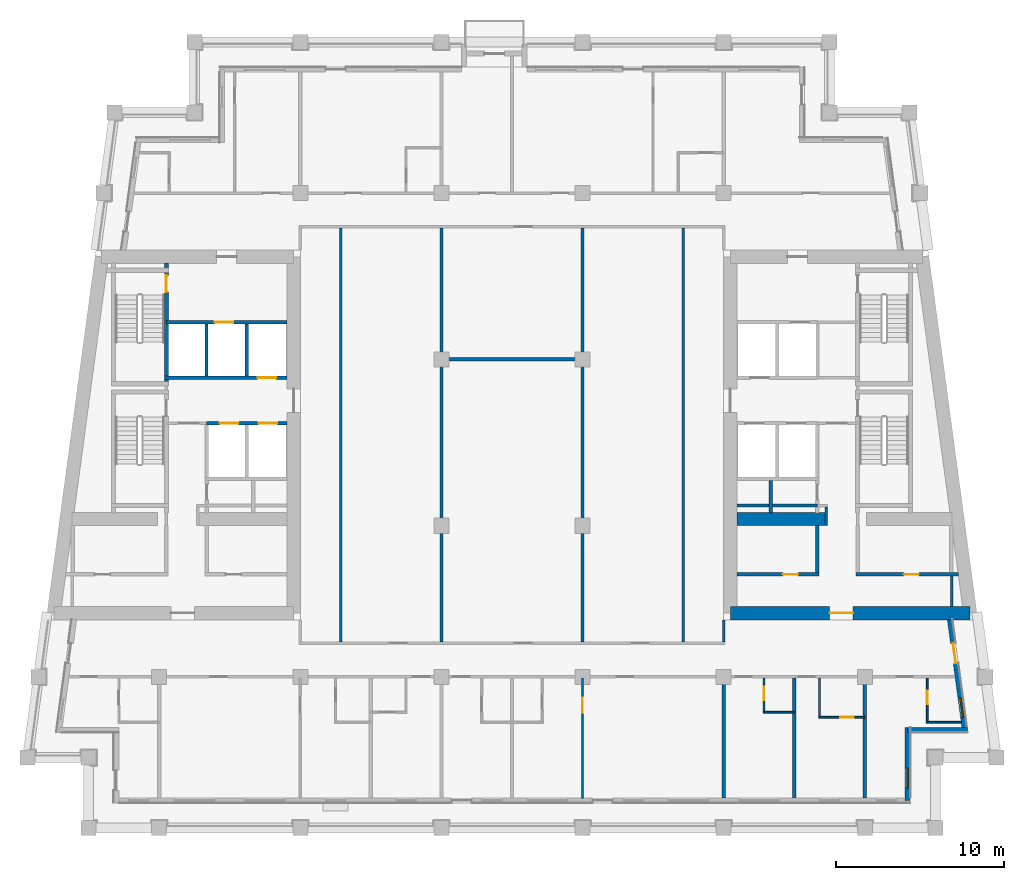
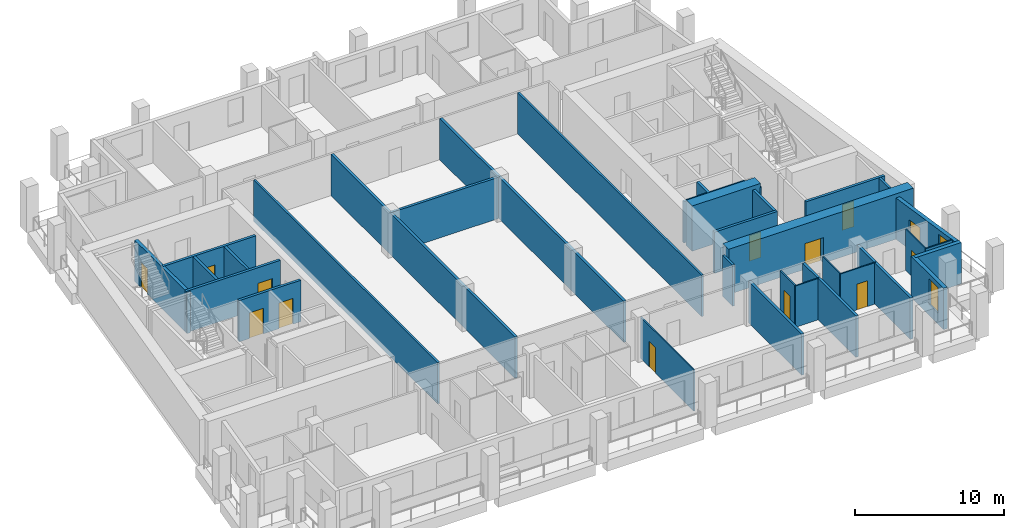
# One storey, part 4 of 12: 34 walls, 13 doors, 2 windows, 15 openings.
"""IFC4 building model written with IfcOpenShell, lengths in metres."""

from ifc_helpers import new_model, si_unit, direction, frame, frame_2d, origin, place, context, subcontext, project, spatial, rectangle, extrude, material, layer, layer_set, type_object, element, fill, save


model = new_model("IFC4")

# Units and contexts
model_context = context("Model", 3, precision=1e-05, world=origin(), true_north=direction((0.0, 1.0)))
body_context = subcontext(model_context, "Body", "Model", "MODEL_VIEW")
ifc_project = project(units=[si_unit("LENGTHUNIT", "METRE"), si_unit("AREAUNIT", "SQUARE_METRE"), si_unit("VOLUMEUNIT", "CUBIC_METRE"), si_unit("PLANEANGLEUNIT", "RADIAN"), si_unit("MASSUNIT", "GRAM", prefix="KILO")], contexts=[model_context])

# Site, building, storey
site_placement = place(None, origin())
site = spatial("IfcSite", under=ifc_project, at=site_placement, CompositionType="ELEMENT")
building_placement = place(site_placement, origin())
building = spatial("IfcBuilding", under=site, at=building_placement, Name="Candeia Pilgrim Tower and Theatre", CompositionType="ELEMENT")
storey_placement = place(building_placement, frame((0.0, 0.0, 231.800048828125)))
storey = spatial("IfcBuildingStorey", under=building, at=storey_placement, Name="L56", CompositionType="ELEMENT", Elevation=231.800048828125)

# Wall, opening, door
ifc_material_1 = material(Name="Concrete C50/60", Category="concrete")
ifc_layer_1 = layer(ifc_material_1, 0.800048828125)
ifc_layer_set_1 = layer_set([ifc_layer_1], Name="Core wall 800 C50/60")
wall_type_1 = type_object("IfcWallType", Name="Core wall 800 C50/60", PredefinedType="SHEAR", material=ifc_layer_set_1)
wall_1_placement = place(storey_placement, frame((140.67333984375, 110.800048828125, 0.0), z_axis=(0.0, 0.0, 1.0), x_axis=(-1.0, 0.0, 0.0)))
wall_1 = element("IfcWall", 1, at=wall_1_placement, inside=storey, type_object=wall_type_1, Name="Core wall E3", PredefinedType="SHEAR", context=body_context, shape_type="SweptSolid", body=[
    extrude(rectangle(XDim=14.2734375, YDim=0.800048828125, at=frame_2d((7.13671875, 0.0))), origin(), (0.0, 0.0, 1.0), 3.699951171875),
])
opening_1_placement = place(wall_1_placement, frame((6.96533203125, 0.0, 0.0)))
opening_1 = element("IfcOpeningElement", 2, at=opening_1_placement, cuts=wall_1, Name="Opening L56-D048", PredefinedType="OPENING", context=body_context, shape_type="SweptSolid", body=[
    extrude(rectangle(XDim=1.39990234375, YDim=2.10009765625, at=frame_2d((0.699951171875, 1.050048828125))), frame((0.0, 0.41015625, 0.0), z_axis=(0.0, -1.0, 0.0), x_axis=(1.0, 0.0, 0.0)), (0.0, 0.0, 1.0), 0.820068359375),
])
ifc_material_2 = material(Name="Steel fire door set", Category="steel")
door_type_1 = type_object("IfcDoorType", Name="D-1400-FD60", OperationType="NOTDEFINED", PredefinedType="DOOR", material=ifc_material_2)
door_1_placement = place(opening_1_placement, origin())
door_1 = element("IfcDoor", 3, at=door_1_placement, inside=storey, type_object=door_type_1, Name="Door L56-D048", OperationType="SINGLE_SWING_RIGHT", OverallHeight=2.10009765625, OverallWidth=1.39990234375, PredefinedType="DOOR", context=body_context, shape_type="SweptSolid", body=[
    extrude(rectangle(XDim=1.39990234375, YDim=2.10009765625, at=frame_2d((0.699951171875, 1.050048828125))), frame((0.0, 0.02490234375, 0.0), z_axis=(0.0, -1.0, 0.0), x_axis=(1.0, 0.0, 0.0)), (0.0, 0.0, 1.0), 0.050048828125),
])
fill(opening_1, door_1)

# Wall
wall_2_placement = place(storey_placement, frame((126.800048828125, 116.39990234375, 0.0), z_axis=(0.0, 0.0, 1.0), x_axis=(1.0, 0.0, 0.0)))
element("IfcWall", 4, at=wall_2_placement, inside=storey, type_object=wall_type_1, Name="Core wall E5", PredefinedType="SHEAR", context=body_context, shape_type="SweptSolid", body=[
    extrude(rectangle(XDim=5.300048828125, YDim=0.800048828125, at=frame_2d((2.64990234375, 0.0))), origin(), (0.0, 0.0, 1.0), 3.699951171875),
])

# Wall, opening, window
ifc_material_3 = material(Name="Ceramic block masonry", Category="masonry")
ifc_layer_2 = layer(ifc_material_3, 0.300048828125)
ifc_layer_set_2 = layer_set([ifc_layer_2], Name="EW1 glazing-line wall 300")
wall_type_2 = type_object("IfcWallType", Name="EW1 glazing-line wall 300", PredefinedType="SOLIDWALL", material=ifc_layer_set_2)
wall_3_placement = place(storey_placement, frame((136.949951171875, 99.64990234375, 0.0), z_axis=(0.0, 0.0, 1.0), x_axis=(0.0, 1.0, 0.0)))
wall_3 = element("IfcWall", 5, at=wall_3_placement, inside=storey, type_object=wall_type_2, Name="External wall L56-1.0", PredefinedType="SOLIDWALL", context=body_context, shape_type="SweptSolid", body=[
    extrude(rectangle(XDim=4.35009765625, YDim=0.300048828125, at=frame_2d((2.175048828125, 0.0))), origin(), (0.0, 0.0, 1.0), 3.3798828125),
])
opening_2_placement = place(wall_3_placement, frame((0.72509765625, 0.0, 0.89990234375)))
opening_2 = element("IfcOpeningElement", 6, at=opening_2_placement, cuts=wall_3, Name="Opening W-B", PredefinedType="OPENING", context=body_context, shape_type="SweptSolid", body=[
    extrude(rectangle(XDim=1.199951171875, YDim=2.10009765625, at=frame_2d((0.60009765625, 1.050048828125))), frame((0.0, 0.16015625, 0.0), z_axis=(0.0, -1.0, 0.0), x_axis=(1.0, 0.0, 0.0)), (0.0, 0.0, 1.0), 0.320068359375),
])
ifc_material_4 = material(Name="Aluminium framed double glazing", Category="aluminium")
window_type = type_object("IfcWindowType", Name="W-B window 1200x2100", PartitioningType="SINGLE_PANEL", PredefinedType="WINDOW", material=ifc_material_4)
window_1_placement = place(opening_2_placement, origin())
window_1 = element("IfcWindow", 7, at=window_1_placement, inside=storey, type_object=window_type, Name="Window W-B L56", OverallHeight=2.10009765625, OverallWidth=1.199951171875, PartitioningType="SINGLE_PANEL", PredefinedType="WINDOW", context=body_context, shape_type="SweptSolid", body=[
    extrude(rectangle(XDim=1.199951171875, YDim=2.10009765625, at=frame_2d((0.60009765625, 1.050048828125))), frame((0.0, 0.030029296875, 0.0), z_axis=(0.0, -1.0, 0.0), x_axis=(1.0, 0.0, 0.0)), (0.0, 0.0, 1.0), 0.06005859375),
])
fill(opening_2, window_1)

# Wall
wall_4_placement = place(storey_placement, frame((136.949951171875, 103.85009765625, 0.0), z_axis=(0.0, 0.0, 1.0), x_axis=(1.0, 0.0, 0.0)))
element("IfcWall", 8, at=wall_4_placement, inside=storey, type_object=wall_type_2, Name="External wall L56-2.0", PredefinedType="SOLIDWALL", context=body_context, shape_type="SweptSolid", body=[
    extrude(rectangle(XDim=3.569091796875, YDim=0.300048828125, at=frame_2d((1.78466796875, 0.0))), origin(), (0.0, 0.0, 1.0), 3.3798828125),
])

# Wall, openings, door, window
wall_5_placement = place(storey_placement, frame((140.34765625, 103.85009765625, 0.0), z_axis=(0.0, 0.0, 1.0), x_axis=(-0.133431549479, 0.991058031401, 0.0)))
wall_5 = element("IfcWall", 9, at=wall_5_placement, inside=storey, type_object=wall_type_2, Name="External wall L56-3.0", PredefinedType="SOLIDWALL", context=body_context, shape_type="SweptSolid", body=[
    extrude(rectangle(XDim=6.60888671875, YDim=0.300048828125, at=frame_2d((3.304443359375, 0.0))), origin(), (0.0, 0.0, 1.0), 3.3798828125),
])
opening_3_placement = place(wall_5_placement, frame((0.736572265625, 0.0, 0.89990234375)))
opening_3 = element("IfcOpeningElement", 10, at=opening_3_placement, cuts=wall_5, Name="Opening W-B", PredefinedType="OPENING", context=body_context, shape_type="SweptSolid", body=[
    extrude(rectangle(XDim=1.199951171875, YDim=2.10009765625, at=frame_2d((0.60009765625, 1.050048828125))), frame((0.0, 0.16015625, 0.0), z_axis=(0.0, -1.0, 0.0), x_axis=(1.0, 0.0, 0.0)), (0.0, 0.0, 1.0), 0.320068359375),
])
opening_4_placement = place(wall_5_placement, frame((3.990966796875, 0.0, 0.0)))
opening_4 = element("IfcOpeningElement", 11, at=opening_4_placement, cuts=wall_5, Name="Opening L56-ED537", PredefinedType="OPENING", context=body_context, shape_type="SweptSolid", body=[
    extrude(rectangle(XDim=1.199951171875, YDim=2.39990234375, at=frame_2d((0.60009765625, 1.199951171875))), frame((0.0, 0.16015625, 0.0), z_axis=(0.0, -1.0, 0.0), x_axis=(1.0, 0.0, 0.0)), (0.0, 0.0, 1.0), 0.320068359375),
])
ifc_material_5 = material(Name="Aluminium framed glazed door", Category="aluminium")
door_type_2 = type_object("IfcDoorType", Name="Loggia door 1200x2400", OperationType="DOUBLE_DOOR_SINGLE_SWING", PredefinedType="DOOR", material=ifc_material_5)
door_2_placement = place(opening_4_placement, origin())
door_2 = element("IfcDoor", 12, at=door_2_placement, inside=storey, type_object=door_type_2, Name="Loggia door L56-ED537", OperationType="DOUBLE_DOOR_SINGLE_SWING", OverallHeight=2.39990234375, OverallWidth=1.199951171875, PredefinedType="DOOR", context=body_context, shape_type="SweptSolid", body=[
    extrude(rectangle(XDim=1.199951171875, YDim=2.39990234375, at=frame_2d((0.60009765625, 1.199951171875))), frame((0.0, 0.02490234375, 0.0), z_axis=(0.0, -1.0, 0.0), x_axis=(1.0, 0.0, 0.0)), (0.0, 0.0, 1.0), 0.050048828125),
])
fill(opening_4, door_2)
window_2_placement = place(opening_3_placement, origin())
window_2 = element("IfcWindow", 13, at=window_2_placement, inside=storey, type_object=window_type, Name="Window W-B L56", OverallHeight=2.10009765625, OverallWidth=1.199951171875, PartitioningType="SINGLE_PANEL", PredefinedType="WINDOW", context=body_context, shape_type="SweptSolid", body=[
    extrude(rectangle(XDim=1.199951171875, YDim=2.10009765625, at=frame_2d((0.60009765625, 1.050048828125))), frame((0.0, 0.030029296875, 0.0), z_axis=(0.0, -1.0, 0.0), x_axis=(1.0, 0.0, 0.0)), (0.0, 0.0, 1.0), 0.06005859375),
])
fill(opening_3, window_2)

# Wall
ifc_material_6 = material(Name="Gypsum board partition on steel studs", Category="steel")
ifc_layer_3 = layer(ifc_material_6, 0.10009765625)
ifc_layer_set_3 = layer_set([ifc_layer_3], Name="PW-100 room partition")
wall_type_3 = type_object("IfcWallType", Name="PW-100 room partition", PredefinedType="PARTITIONING", material=ifc_layer_set_3)
wall_6_placement = place(storey_placement, frame((138.070068359375, 104.300048828125, 0.0), z_axis=(0.0, 0.0, 1.0), x_axis=(1.0, 0.0, 0.0)))
element("IfcWall", 14, at=wall_6_placement, inside=storey, type_object=wall_type_3, Name="Room partition L56-004", PredefinedType="PARTITIONING", context=body_context, shape_type="SweptSolid", body=[
    extrude(rectangle(XDim=2.07568359375, YDim=0.10009765625, at=frame_2d((1.037841796875, 0.0))), origin(), (0.0, 0.0, 1.0), 3.3798828125),
])

# Wall, opening, door
wall_7_placement = place(storey_placement, frame((131.64990234375, 104.60009765625, 0.0), z_axis=(0.0, 0.0, 1.0), x_axis=(1.0, 0.0, 0.0)))
wall_7 = element("IfcWall", 15, at=wall_7_placement, inside=storey, type_object=wall_type_3, Name="Room partition L56-005", PredefinedType="PARTITIONING", context=body_context, shape_type="SweptSolid", body=[
    extrude(rectangle(XDim=2.75, YDim=0.10009765625, at=frame_2d((1.375, 0.0))), origin(), (0.0, 0.0, 1.0), 3.3798828125),
])
opening_5_placement = place(wall_7_placement, frame((1.300048828125, 0.0, 0.0)))
opening_5 = element("IfcOpeningElement", 16, at=opening_5_placement, cuts=wall_7, Name="Opening L56-D028", PredefinedType="OPENING", context=body_context, shape_type="SweptSolid", body=[
    extrude(rectangle(XDim=0.800048828125, YDim=2.10009765625, at=frame_2d((0.39990234375, 1.050048828125))), frame((0.0, 0.06005859375, 0.0), z_axis=(0.0, -1.0, 0.0), x_axis=(1.0, 0.0, 0.0)), (0.0, 0.0, 1.0), 0.1201171875),
])
ifc_material_7 = material(Name="Timber door leaf", Category="wood")
door_type_3 = type_object("IfcDoorType", Name="D-800", OperationType="NOTDEFINED", PredefinedType="DOOR", material=ifc_material_7)
door_3_placement = place(opening_5_placement, origin())
door_3 = element("IfcDoor", 17, at=door_3_placement, inside=storey, type_object=door_type_3, Name="Door L56-D028", OperationType="SINGLE_SWING_RIGHT", OverallHeight=2.10009765625, OverallWidth=0.800048828125, PredefinedType="DOOR", context=body_context, shape_type="SweptSolid", body=[
    extrude(rectangle(XDim=0.800048828125, YDim=2.10009765625, at=frame_2d((0.39990234375, 1.050048828125))), frame((0.0, 0.02490234375, 0.0), z_axis=(0.0, -1.0, 0.0), x_axis=(1.0, 0.0, 0.0)), (0.0, 0.0, 1.0), 0.050048828125),
])
fill(opening_5, door_3)

# Wall
wall_8_placement = place(storey_placement, frame((128.35009765625, 104.89990234375, 0.0), z_axis=(0.0, 0.0, 1.0), x_axis=(1.0, 0.0, 0.0)))
element("IfcWall", 18, at=wall_8_placement, inside=storey, type_object=wall_type_3, Name="Room partition L56-007", PredefinedType="PARTITIONING", context=body_context, shape_type="SweptSolid", body=[
    extrude(rectangle(XDim=1.849853515625, YDim=0.10009765625, at=frame_2d((0.9248046875, 0.0))), origin(), (0.0, 0.0, 1.0), 3.3798828125),
])

# Wall, opening, door
wall_9_placement = place(storey_placement, frame((117.60009765625, 99.7900390625, 0.0), z_axis=(0.0, 0.0, 1.0), x_axis=(0.0, 1.0, 0.0)))
wall_9 = element("IfcWall", 19, at=wall_9_placement, inside=storey, type_object=wall_type_3, Name="Room partition L56-080", PredefinedType="PARTITIONING", context=body_context, shape_type="SweptSolid", body=[
    extrude(rectangle(XDim=7.135009765625, YDim=0.10009765625, at=frame_2d((3.5673828125, 0.0))), origin(), (0.0, 0.0, 1.0), 3.3798828125),
])
opening_6_placement = place(wall_9_placement, frame((5.074951171875, 0.0, 0.0)))
opening_6 = element("IfcOpeningElement", 20, at=opening_6_placement, cuts=wall_9, Name="Opening L56-D023", PredefinedType="OPENING", context=body_context, shape_type="SweptSolid", body=[
    extrude(rectangle(XDim=0.89990234375, YDim=2.10009765625, at=frame_2d((0.449951171875, 1.050048828125))), frame((0.0, 0.06005859375, 0.0), z_axis=(0.0, -1.0, 0.0), x_axis=(1.0, 0.0, 0.0)), (0.0, 0.0, 1.0), 0.1201171875),
])
door_type_4 = type_object("IfcDoorType", Name="D-900", OperationType="NOTDEFINED", PredefinedType="DOOR", material=ifc_material_7)
door_4_placement = place(opening_6_placement, origin())
door_4 = element("IfcDoor", 21, at=door_4_placement, inside=storey, type_object=door_type_4, Name="Door L56-D023", OperationType="SINGLE_SWING_LEFT", OverallHeight=2.10009765625, OverallWidth=0.89990234375, PredefinedType="DOOR", context=body_context, shape_type="SweptSolid", body=[
    extrude(rectangle(XDim=0.89990234375, YDim=2.10009765625, at=frame_2d((0.449951171875, 1.050048828125))), frame((0.0, 0.02490234375, 0.0), z_axis=(0.0, -1.0, 0.0), x_axis=(1.0, 0.0, 0.0)), (0.0, 0.0, 1.0), 0.050048828125),
])
fill(opening_6, door_4)

wall_10_placement = place(storey_placement, frame((128.39990234375, 104.949951171875, 0.0), z_axis=(0.0, 0.0, 1.0), x_axis=(0.0, 1.0, 0.0)))
wall_10 = element("IfcWall", 22, at=wall_10_placement, inside=storey, type_object=wall_type_3, Name="Room partition L56-089", PredefinedType="PARTITIONING", context=body_context, shape_type="SweptSolid", body=[
    extrude(rectangle(XDim=1.97509765625, YDim=0.10009765625, at=frame_2d((0.987548828125, 0.0))), origin(), (0.0, 0.0, 1.0), 3.3798828125),
])
opening_7_placement = place(wall_10_placement, frame((0.659912109375, 0.0, 0.0)))
opening_7 = element("IfcOpeningElement", 23, at=opening_7_placement, cuts=wall_10, Name="Opening L56-D026", PredefinedType="OPENING", context=body_context, shape_type="SweptSolid", body=[
    extrude(rectangle(XDim=0.800048828125, YDim=2.10009765625, at=frame_2d((0.39990234375, 1.050048828125))), frame((0.0, 0.06005859375, 0.0), z_axis=(0.0, -1.0, 0.0), x_axis=(1.0, 0.0, 0.0)), (0.0, 0.0, 1.0), 0.1201171875),
])
door_5_placement = place(opening_7_placement, origin())
door_5 = element("IfcDoor", 24, at=door_5_placement, inside=storey, type_object=door_type_3, Name="Door L56-D026", OperationType="SINGLE_SWING_RIGHT", OverallHeight=2.10009765625, OverallWidth=0.800048828125, PredefinedType="DOOR", context=body_context, shape_type="SweptSolid", body=[
    extrude(rectangle(XDim=0.800048828125, YDim=2.10009765625, at=frame_2d((0.39990234375, 1.050048828125))), frame((0.0, 0.02490234375, 0.0), z_axis=(0.0, -1.0, 0.0), x_axis=(1.0, 0.0, 0.0)), (0.0, 0.0, 1.0), 0.050048828125),
])
fill(opening_7, door_5)

# Wall
wall_11_placement = place(storey_placement, frame((131.699951171875, 104.64990234375, 0.0), z_axis=(0.0, 0.0, 1.0), x_axis=(0.0, 1.0, 0.0)))
element("IfcWall", 25, at=wall_11_placement, inside=storey, type_object=wall_type_3, Name="Room partition L56-097", PredefinedType="PARTITIONING", context=body_context, shape_type="SweptSolid", body=[
    extrude(rectangle(XDim=2.275146484375, YDim=0.10009765625, at=frame_2d((1.1376953125, 0.0))), origin(), (0.0, 0.0, 1.0), 3.3798828125),
])

# Wall, opening, door
wall_12_placement = place(storey_placement, frame((138.1201171875, 104.35009765625, 0.0), z_axis=(0.0, 0.0, 1.0), x_axis=(0.0, 1.0, 0.0)))
wall_12 = element("IfcWall", 26, at=wall_12_placement, inside=storey, type_object=wall_type_3, Name="Room partition L56-107", PredefinedType="PARTITIONING", context=body_context, shape_type="SweptSolid", body=[
    extrude(rectangle(XDim=2.574951171875, YDim=0.10009765625, at=frame_2d((1.28759765625, 0.0))), origin(), (0.0, 0.0, 1.0), 3.3798828125),
])
opening_8_placement = place(wall_12_placement, frame((1.02001953125, 0.0, 0.0)))
opening_8 = element("IfcOpeningElement", 27, at=opening_8_placement, cuts=wall_12, Name="Opening L56-D030", PredefinedType="OPENING", context=body_context, shape_type="SweptSolid", body=[
    extrude(rectangle(XDim=0.800048828125, YDim=2.10009765625, at=frame_2d((0.39990234375, 1.050048828125))), frame((0.0, 0.06005859375, 0.0), z_axis=(0.0, -1.0, 0.0), x_axis=(1.0, 0.0, 0.0)), (0.0, 0.0, 1.0), 0.1201171875),
])
door_6_placement = place(opening_8_placement, origin())
door_6 = element("IfcDoor", 28, at=door_6_placement, inside=storey, type_object=door_type_3, Name="Door L56-D030", OperationType="SINGLE_SWING_RIGHT", OverallHeight=2.10009765625, OverallWidth=0.800048828125, PredefinedType="DOOR", context=body_context, shape_type="SweptSolid", body=[
    extrude(rectangle(XDim=0.800048828125, YDim=2.10009765625, at=frame_2d((0.39990234375, 1.050048828125))), frame((0.0, 0.02490234375, 0.0), z_axis=(0.0, -1.0, 0.0), x_axis=(1.0, 0.0, 0.0)), (0.0, 0.0, 1.0), 0.050048828125),
])
fill(opening_8, door_6)

# Walls
ifc_layer_4 = layer(ifc_material_6, 0.14990234375)
ifc_layer_set_4 = layer_set([ifc_layer_4], Name="PW-150 lobby wall")
wall_type_4 = type_object("IfcWallType", Name="PW-150 lobby wall", PredefinedType="PARTITIONING", material=ifc_layer_set_4)
wall_13_placement = place(storey_placement, frame((132.10009765625, 116.0, 0.0), z_axis=(0.0, 0.0, 1.0), x_axis=(0.0, 1.0, 0.0)))
element("IfcWall", 29, at=wall_13_placement, inside=storey, type_object=wall_type_4, Name="Lobby wall L56-098", PredefinedType="PARTITIONING", context=body_context, shape_type="SweptSolid", body=[
    extrude(rectangle(XDim=1.125, YDim=0.14990234375, at=frame_2d((0.5625, 0.0))), origin(), (0.0, 0.0, 1.0), 3.3798828125),
])
wall_14_placement = place(storey_placement, frame((139.572998046875, 111.199951171875, 0.0), z_axis=(0.0, 0.0, 1.0), x_axis=(0.0, 1.0, 0.0)))
element("IfcWall", 30, at=wall_14_placement, inside=storey, type_object=wall_type_4, Name="Lobby wall L56-109", PredefinedType="PARTITIONING", context=body_context, shape_type="SweptSolid", body=[
    extrude(rectangle(XDim=1.800048828125, YDim=0.14990234375, at=frame_2d((0.89990234375, 0.0))), origin(), (0.0, 0.0, 1.0), 3.3798828125),
])
ifc_layer_5 = layer(ifc_material_6, 0.14990234375)
ifc_layer_set_5 = layer_set([ifc_layer_5], Name="PW-150 unit wall")
wall_type_5 = type_object("IfcWallType", Name="PW-150 unit wall", PredefinedType="PARTITIONING", material=ifc_layer_set_5)
for number, where, z_axis, x_axis, name in (
    (31, (103.199951171875, 109.074951171875, 0.0), (0.0, 0.0, 1.0), (0.0, 1.0, 0.0), "Unit wall L56-069"),
    (32, (123.60009765625, 109.074951171875, 0.0), (0.0, 0.0, 1.0), (0.0, 1.0, 0.0), "Unit wall L56-084"),
):
    element("IfcWall", number, at=place(storey_placement, frame(where, z_axis=z_axis, x_axis=x_axis)), inside=storey, type_object=wall_type_5, Name=name, PredefinedType="PARTITIONING", context=body_context, shape_type="SweptSolid", body=[
        extrude(rectangle(XDim=24.650146484375, YDim=0.14990234375, at=frame_2d((12.3251953125, 0.0))), origin(), (0.0, 0.0, 1.0), 3.3798828125),
    ])
wall_15_placement = place(storey_placement, frame((126.0, 109.074951171875, 0.0), z_axis=(0.0, 0.0, 1.0), x_axis=(0.0, 1.0, 0.0)))
element("IfcWall", 33, at=wall_15_placement, inside=storey, type_object=wall_type_5, Name="Unit wall L56-087", PredefinedType="PARTITIONING", context=body_context, shape_type="SweptSolid", body=[
    extrude(rectangle(XDim=1.324951171875, YDim=0.14990234375, at=frame_2d((0.66259765625, 0.0))), origin(), (0.0, 0.0, 1.0), 3.3798828125),
])
ifc_layer_6 = layer(ifc_material_6, 0.199951171875)
ifc_layer_set_6 = layer_set([ifc_layer_6], Name="PW-200 party wall")
wall_type_6 = type_object("IfcWallType", Name="PW-200 party wall", PredefinedType="PARTITIONING", material=ifc_layer_set_6)
wall_16_placement = place(storey_placement, frame((109.199951171875, 125.89990234375, 0.0), z_axis=(0.0, 0.0, 1.0), x_axis=(1.0, 0.0, 0.0)))
element("IfcWall", 34, at=wall_16_placement, inside=storey, type_object=wall_type_6, Name="Party wall L56-033", PredefinedType="PARTITIONING", context=body_context, shape_type="SweptSolid", body=[
    extrude(rectangle(XDim=8.400146484375, YDim=0.199951171875, at=frame_2d((4.2001953125, 0.0))), origin(), (0.0, 0.0, 1.0), 3.3798828125),
])
for number, where, z_axis, x_axis, name in (
    (35, (109.199951171875, 109.074951171875, 0.0), (0.0, 0.0, 1.0), (0.0, 1.0, 0.0), "Party wall L56-074"),
    (36, (117.60009765625, 109.074951171875, 0.0), (0.0, 0.0, 1.0), (0.0, 1.0, 0.0), "Party wall L56-081"),
):
    element("IfcWall", number, at=place(storey_placement, frame(where, z_axis=z_axis, x_axis=x_axis)), inside=storey, type_object=wall_type_6, Name=name, PredefinedType="PARTITIONING", context=body_context, shape_type="SweptSolid", body=[
        extrude(rectangle(XDim=24.650146484375, YDim=0.199951171875, at=frame_2d((12.3251953125, 0.0))), origin(), (0.0, 0.0, 1.0), 3.3798828125),
    ])
for number, where, z_axis, x_axis, name in (
    (37, (126.0, 99.7900390625, 0.0), (0.0, 0.0, 1.0), (0.0, 1.0, 0.0), "Party wall L56-085"),
    (38, (130.199951171875, 99.7900390625, 0.0), (0.0, 0.0, 1.0), (0.0, 1.0, 0.0), "Party wall L56-093"),
    (39, (134.39990234375, 99.7900390625, 0.0), (0.0, 0.0, 1.0), (0.0, 1.0, 0.0), "Party wall L56-104"),
):
    element("IfcWall", number, at=place(storey_placement, frame(where, z_axis=z_axis, x_axis=x_axis)), inside=storey, type_object=wall_type_6, Name=name, PredefinedType="PARTITIONING", context=body_context, shape_type="SweptSolid", body=[
        extrude(rectangle(XDim=7.135009765625, YDim=0.199951171875, at=frame_2d((3.5673828125, 0.0))), origin(), (0.0, 0.0, 1.0), 3.3798828125),
    ])

# Wall, opening, door
ifc_material_8 = material(Name="Concrete C40/50", Category="concrete")
ifc_layer_7 = layer(ifc_material_8, 0.199951171875)
ifc_layer_set_7 = layer_set([ifc_layer_7], Name="SW-200 shaft wall")
wall_type_7 = type_object("IfcWallType", Name="SW-200 shaft wall", PredefinedType="PARTITIONING", material=ifc_layer_set_7)
wall_17_placement = place(storey_placement, frame((126.800048828125, 113.10009765625, 0.0), z_axis=(0.0, 0.0, 1.0), x_axis=(1.0, 0.0, 0.0)))
wall_17 = element("IfcWall", 40, at=wall_17_placement, inside=storey, type_object=wall_type_7, Name="Shaft wall L56-012", PredefinedType="PARTITIONING", context=body_context, shape_type="SweptSolid", body=[
    extrude(rectangle(XDim=4.873046875, YDim=0.199951171875, at=frame_2d((2.4365234375, 0.0))), origin(), (0.0, 0.0, 1.0), 3.3798828125),
])
opening_9_placement = place(wall_17_placement, frame((2.72998046875, 0.0, 0.0)))
opening_9 = element("IfcOpeningElement", 41, at=opening_9_placement, cuts=wall_17, Name="Opening L56-D012", PredefinedType="OPENING", context=body_context, shape_type="SweptSolid", body=[
    extrude(rectangle(XDim=0.89990234375, YDim=2.10009765625, at=frame_2d((0.449951171875, 1.050048828125))), frame((0.0, 0.10986328125, 0.0), z_axis=(0.0, -1.0, 0.0), x_axis=(1.0, 0.0, 0.0)), (0.0, 0.0, 1.0), 0.219970703125),
])
door_type_5 = type_object("IfcDoorType", Name="D-900-FD60", OperationType="NOTDEFINED", PredefinedType="DOOR", material=ifc_material_2)
door_7_placement = place(opening_9_placement, origin())
door_7 = element("IfcDoor", 42, at=door_7_placement, inside=storey, type_object=door_type_5, Name="Door L56-D012", OperationType="SINGLE_SWING_RIGHT", OverallHeight=2.10009765625, OverallWidth=0.89990234375, PredefinedType="DOOR", context=body_context, shape_type="SweptSolid", body=[
    extrude(rectangle(XDim=0.89990234375, YDim=2.10009765625, at=frame_2d((0.449951171875, 1.050048828125))), frame((0.0, 0.02490234375, 0.0), z_axis=(0.0, -1.0, 0.0), x_axis=(1.0, 0.0, 0.0)), (0.0, 0.0, 1.0), 0.050048828125),
])
fill(opening_9, door_7)

wall_18_placement = place(storey_placement, frame((133.873046875, 113.10009765625, 0.0), z_axis=(0.0, 0.0, 1.0), x_axis=(1.0, 0.0, 0.0)))
wall_18 = element("IfcWall", 43, at=wall_18_placement, inside=storey, type_object=wall_type_7, Name="Shaft wall L56-013", PredefinedType="PARTITIONING", context=body_context, shape_type="SweptSolid", body=[
    extrude(rectangle(XDim=6.116943359375, YDim=0.199951171875, at=frame_2d((3.05859375, 0.0))), origin(), (0.0, 0.0, 1.0), 3.3798828125),
])
opening_10_placement = place(wall_18_placement, frame((2.85009765625, 0.0, 0.0)))
opening_10 = element("IfcOpeningElement", 44, at=opening_10_placement, cuts=wall_18, Name="Opening L56-D011", PredefinedType="OPENING", context=body_context, shape_type="SweptSolid", body=[
    extrude(rectangle(XDim=0.89990234375, YDim=2.10009765625, at=frame_2d((0.449951171875, 1.050048828125))), frame((0.0, 0.10986328125, 0.0), z_axis=(0.0, -1.0, 0.0), x_axis=(1.0, 0.0, 0.0)), (0.0, 0.0, 1.0), 0.219970703125),
])
door_8_placement = place(opening_10_placement, origin())
door_8 = element("IfcDoor", 45, at=door_8_placement, inside=storey, type_object=door_type_5, Name="Door L56-D011", OperationType="SINGLE_SWING_LEFT", OverallHeight=2.10009765625, OverallWidth=0.89990234375, PredefinedType="DOOR", context=body_context, shape_type="SweptSolid", body=[
    extrude(rectangle(XDim=0.89990234375, YDim=2.10009765625, at=frame_2d((0.449951171875, 1.050048828125))), frame((0.0, 0.02490234375, 0.0), z_axis=(0.0, -1.0, 0.0), x_axis=(1.0, 0.0, 0.0)), (0.0, 0.0, 1.0), 0.050048828125),
])
fill(opening_10, door_8)

# Wall
wall_19_placement = place(storey_placement, frame((126.800048828125, 117.199951171875, 0.0), z_axis=(0.0, 0.0, 1.0), x_axis=(1.0, 0.0, 0.0)))
element("IfcWall", 46, at=wall_19_placement, inside=storey, type_object=wall_type_7, Name="Shaft wall L56-015", PredefinedType="PARTITIONING", context=body_context, shape_type="SweptSolid", body=[
    extrude(rectangle(XDim=4.77294921875, YDim=0.199951171875, at=frame_2d((2.386474609375, 0.0))), origin(), (0.0, 0.0, 1.0), 3.3798828125),
])

# Wall, openings, doors
wall_20_placement = place(storey_placement, frame((95.22705078125, 122.10009765625, 0.0), z_axis=(0.0, 0.0, 1.0), x_axis=(1.0, 0.0, 0.0)))
wall_20 = element("IfcWall", 47, at=wall_20_placement, inside=storey, type_object=wall_type_7, Name="Shaft wall L56-022", PredefinedType="PARTITIONING", context=body_context, shape_type="SweptSolid", body=[
    extrude(rectangle(XDim=4.77294921875, YDim=0.199951171875, at=frame_2d((2.386474609375, 0.0))), origin(), (0.0, 0.0, 1.0), 3.3798828125),
])
opening_11_placement = place(wall_20_placement, frame((0.7900390625, 0.0, 0.0)))
opening_11 = element("IfcOpeningElement", 48, at=opening_11_placement, cuts=wall_20, Name="Opening L56-LD01", PredefinedType="OPENING", context=body_context, shape_type="SweptSolid", body=[
    extrude(rectangle(XDim=1.10009765625, YDim=2.10009765625, at=frame_2d((0.550048828125, 1.050048828125))), frame((0.0, 0.10986328125, 0.0), z_axis=(0.0, -1.0, 0.0), x_axis=(1.0, 0.0, 0.0)), (0.0, 0.0, 1.0), 0.219970703125),
])
opening_12_placement = place(wall_20_placement, frame((3.087890625, 0.0, 0.0)))
opening_12 = element("IfcOpeningElement", 49, at=opening_12_placement, cuts=wall_20, Name="Opening L56-LD02", PredefinedType="OPENING", context=body_context, shape_type="SweptSolid", body=[
    extrude(rectangle(XDim=1.10009765625, YDim=2.10009765625, at=frame_2d((0.550048828125, 1.050048828125))), frame((0.0, 0.10986328125, 0.0), z_axis=(0.0, -1.0, 0.0), x_axis=(1.0, 0.0, 0.0)), (0.0, 0.0, 1.0), 0.219970703125),
])
ifc_material_9 = material(Name="Glazed aluminium landing door", Category="aluminium")
door_type_6 = type_object("IfcDoorType", Name="LD-1100-EI120", OperationType="SLIDING_TO_LEFT", PredefinedType="DOOR", material=ifc_material_9)
door_9_placement = place(opening_11_placement, origin())
door_9 = element("IfcDoor", 50, at=door_9_placement, inside=storey, type_object=door_type_6, Name="Landing door 01 L56", OperationType="SLIDING_TO_LEFT", OverallHeight=2.10009765625, OverallWidth=1.10009765625, PredefinedType="DOOR", context=body_context, shape_type="SweptSolid", body=[
    extrude(rectangle(XDim=1.10009765625, YDim=2.10009765625, at=frame_2d((0.550048828125, 1.050048828125))), frame((0.0, 0.02490234375, 0.0), z_axis=(0.0, -1.0, 0.0), x_axis=(1.0, 0.0, 0.0)), (0.0, 0.0, 1.0), 0.050048828125),
])
fill(opening_11, door_9)
door_10_placement = place(opening_12_placement, origin())
door_10 = element("IfcDoor", 51, at=door_10_placement, inside=storey, type_object=door_type_6, Name="Landing door 02 L56", OperationType="SLIDING_TO_LEFT", OverallHeight=2.10009765625, OverallWidth=1.10009765625, PredefinedType="DOOR", context=body_context, shape_type="SweptSolid", body=[
    extrude(rectangle(XDim=1.10009765625, YDim=2.10009765625, at=frame_2d((0.550048828125, 1.050048828125))), frame((0.0, 0.02490234375, 0.0), z_axis=(0.0, -1.0, 0.0), x_axis=(1.0, 0.0, 0.0)), (0.0, 0.0, 1.0), 0.050048828125),
])
fill(opening_12, door_10)

# Wall, opening, door
wall_21_placement = place(storey_placement, frame((92.701904296875, 124.800048828125, 0.0), z_axis=(0.0, 0.0, 1.0), x_axis=(1.0, 0.0, 0.0)))
wall_21 = element("IfcWall", 52, at=wall_21_placement, inside=storey, type_object=wall_type_7, Name="Shaft wall L56-030", PredefinedType="PARTITIONING", context=body_context, shape_type="SweptSolid", body=[
    extrude(rectangle(XDim=7.298095703125, YDim=0.199951171875, at=frame_2d((3.64892578125, 0.0))), origin(), (0.0, 0.0, 1.0), 3.3798828125),
])
opening_13_placement = place(wall_21_placement, frame((5.552001953125, 0.0, 0.0)))
opening_13 = element("IfcOpeningElement", 53, at=opening_13_placement, cuts=wall_21, Name="Opening L56-LD04", PredefinedType="OPENING", context=body_context, shape_type="SweptSolid", body=[
    extrude(rectangle(XDim=1.10009765625, YDim=2.10009765625, at=frame_2d((0.550048828125, 1.050048828125))), frame((0.0, 0.10986328125, 0.0), z_axis=(0.0, -1.0, 0.0), x_axis=(1.0, 0.0, 0.0)), (0.0, 0.0, 1.0), 0.219970703125),
])
door_11_placement = place(opening_13_placement, origin())
door_11 = element("IfcDoor", 54, at=door_11_placement, inside=storey, type_object=door_type_6, Name="Landing door 04 L56", OperationType="SLIDING_TO_LEFT", OverallHeight=2.10009765625, OverallWidth=1.10009765625, PredefinedType="DOOR", context=body_context, shape_type="SweptSolid", body=[
    extrude(rectangle(XDim=1.10009765625, YDim=2.10009765625, at=frame_2d((0.550048828125, 1.050048828125))), frame((0.0, 0.02490234375, 0.0), z_axis=(0.0, -1.0, 0.0), x_axis=(1.0, 0.0, 0.0)), (0.0, 0.0, 1.0), 0.050048828125),
])
fill(opening_13, door_11)

wall_22_placement = place(storey_placement, frame((92.826904296875, 128.10009765625, 0.0), z_axis=(0.0, 0.0, 1.0), x_axis=(1.0, 0.0, 0.0)))
wall_22 = element("IfcWall", 55, at=wall_22_placement, inside=storey, type_object=wall_type_7, Name="Shaft wall L56-034", PredefinedType="PARTITIONING", context=body_context, shape_type="SweptSolid", body=[
    extrude(rectangle(XDim=7.173095703125, YDim=0.199951171875, at=frame_2d((3.58642578125, 0.0))), origin(), (0.0, 0.0, 1.0), 3.3798828125),
])
opening_14_placement = place(wall_22_placement, frame((2.888916015625, 0.0, 0.0)))
opening_14 = element("IfcOpeningElement", 56, at=opening_14_placement, cuts=wall_22, Name="Opening L56-LD03", PredefinedType="OPENING", context=body_context, shape_type="SweptSolid", body=[
    extrude(rectangle(XDim=1.10009765625, YDim=2.10009765625, at=frame_2d((0.550048828125, 1.050048828125))), frame((0.0, 0.10986328125, 0.0), z_axis=(0.0, -1.0, 0.0), x_axis=(1.0, 0.0, 0.0)), (0.0, 0.0, 1.0), 0.219970703125),
])
door_12_placement = place(opening_14_placement, origin())
door_12 = element("IfcDoor", 57, at=door_12_placement, inside=storey, type_object=door_type_6, Name="Landing door 03 L56", OperationType="SLIDING_TO_LEFT", OverallHeight=2.10009765625, OverallWidth=1.10009765625, PredefinedType="DOOR", context=body_context, shape_type="SweptSolid", body=[
    extrude(rectangle(XDim=1.10009765625, YDim=2.10009765625, at=frame_2d((0.550048828125, 1.050048828125))), frame((0.0, 0.02490234375, 0.0), z_axis=(0.0, -1.0, 0.0), x_axis=(1.0, 0.0, 0.0)), (0.0, 0.0, 1.0), 0.050048828125),
])
fill(opening_14, door_12)

# Walls
for number, where, z_axis, x_axis, name in (
    (58, (95.218017578125, 124.89990234375, 0.0), (0.0, 0.0, 1.0), (0.0, 1.0, 0.0), "Shaft wall L56-057"),
    (59, (97.60888671875, 124.89990234375, 0.0), (0.0, 0.0, 1.0), (0.0, 1.0, 0.0), "Shaft wall L56-061"),
):
    element("IfcWall", number, at=place(storey_placement, frame(where, z_axis=z_axis, x_axis=x_axis)), inside=storey, type_object=wall_type_7, Name=name, PredefinedType="PARTITIONING", context=body_context, shape_type="SweptSolid", body=[
        extrude(rectangle(XDim=3.10009765625, YDim=0.199951171875, at=frame_2d((1.550048828125, 0.0))), origin(), (0.0, 0.0, 1.0), 3.3798828125),
    ])
wall_23_placement = place(storey_placement, frame((128.800048828125, 116.77001953125, 0.0), z_axis=(0.0, 0.0, 1.0), x_axis=(0.0, 1.0, 0.0)))
element("IfcWall", 60, at=wall_23_placement, inside=storey, type_object=wall_type_7, Name="Shaft wall L56-090", PredefinedType="PARTITIONING", context=body_context, shape_type="SweptSolid", body=[
    extrude(rectangle(XDim=1.929931640625, YDim=0.199951171875, at=frame_2d((0.96484375, 0.0))), origin(), (0.0, 0.0, 1.0), 3.3798828125),
])
wall_24_placement = place(storey_placement, frame((131.572998046875, 113.199951171875, 0.0), z_axis=(0.0, 0.0, 1.0), x_axis=(0.0, 1.0, 0.0)))
element("IfcWall", 61, at=wall_24_placement, inside=storey, type_object=wall_type_7, Name="Shaft wall L56-094", PredefinedType="PARTITIONING", context=body_context, shape_type="SweptSolid", body=[
    extrude(rectangle(XDim=2.800048828125, YDim=0.199951171875, at=frame_2d((1.39990234375, 0.0))), origin(), (0.0, 0.0, 1.0), 3.3798828125),
])

# Wall, opening, door
ifc_layer_8 = layer(ifc_material_8, 0.25)
ifc_layer_set_8 = layer_set([ifc_layer_8], Name="SW-250 stair wall")
wall_type_8 = type_object("IfcWallType", Name="SW-250 stair wall", PredefinedType="PARTITIONING", material=ifc_layer_set_8)
wall_25_placement = place(storey_placement, frame((92.826904296875, 124.574951171875, 0.0), z_axis=(0.0, 0.0, 1.0), x_axis=(0.0, 1.0, 0.0)))
wall_25 = element("IfcWall", 62, at=wall_25_placement, inside=storey, type_object=wall_type_8, Name="Stair wall L56-054", PredefinedType="PARTITIONING", context=body_context, shape_type="SweptSolid", body=[
    extrude(rectangle(XDim=7.054931640625, YDim=0.25, at=frame_2d((3.52734375, 0.0))), origin(), (0.0, 0.0, 1.0), 3.3798828125),
])
opening_15_placement = place(wall_25_placement, frame((5.324951171875, 0.0, 0.0)))
opening_15 = element("IfcOpeningElement", 63, at=opening_15_placement, cuts=wall_25, Name="Opening L56-D003", PredefinedType="OPENING", context=body_context, shape_type="SweptSolid", body=[
    extrude(rectangle(XDim=1.0, YDim=2.10009765625, at=frame_2d((0.5, 1.050048828125))), frame((0.0, 0.135009765625, 0.0), z_axis=(0.0, -1.0, 0.0), x_axis=(1.0, 0.0, 0.0)), (0.0, 0.0, 1.0), 0.27001953125),
])
door_type_7 = type_object("IfcDoorType", Name="D-1000-FD60", OperationType="NOTDEFINED", PredefinedType="DOOR", material=ifc_material_2)
door_13_placement = place(opening_15_placement, origin())
door_13 = element("IfcDoor", 64, at=door_13_placement, inside=storey, type_object=door_type_7, Name="Door L56-D003", OperationType="SINGLE_SWING_LEFT", OverallHeight=2.10009765625, OverallWidth=1.0, PredefinedType="DOOR", context=body_context, shape_type="SweptSolid", body=[
    extrude(rectangle(XDim=1.0, YDim=2.10009765625, at=frame_2d((0.5, 1.050048828125))), frame((0.0, 0.02490234375, 0.0), z_axis=(0.0, -1.0, 0.0), x_axis=(1.0, 0.0, 0.0)), (0.0, 0.0, 1.0), 0.050048828125),
])
fill(opening_15, door_13)

save(model, "model.ifc")
